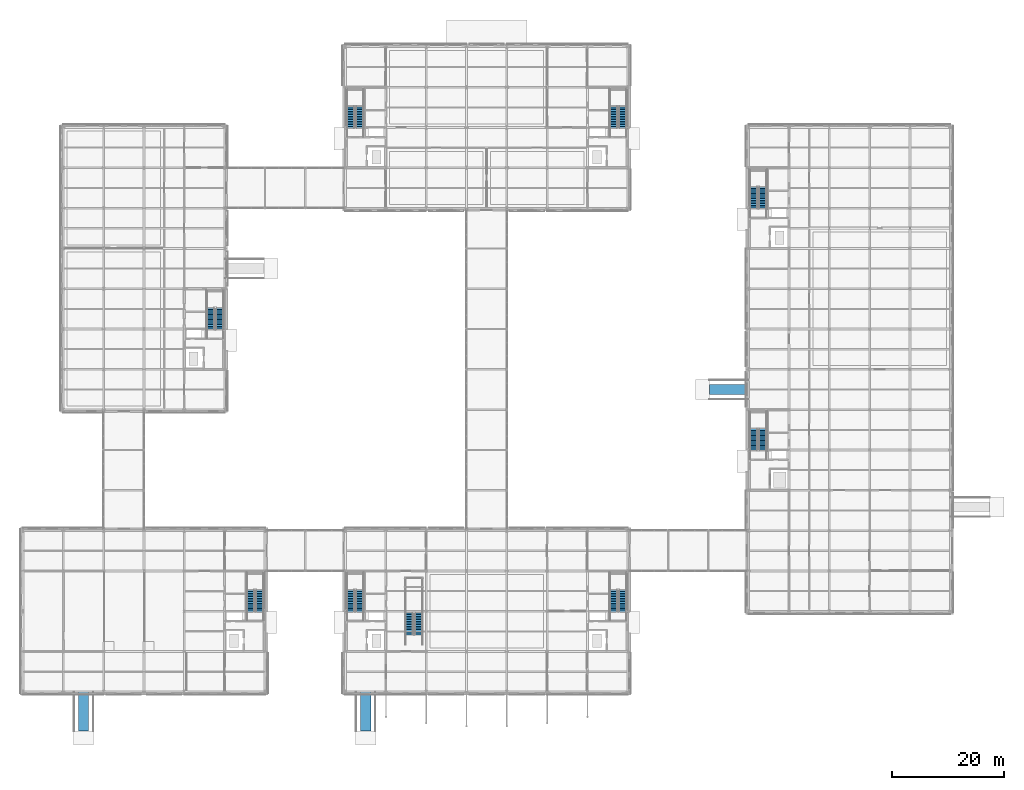
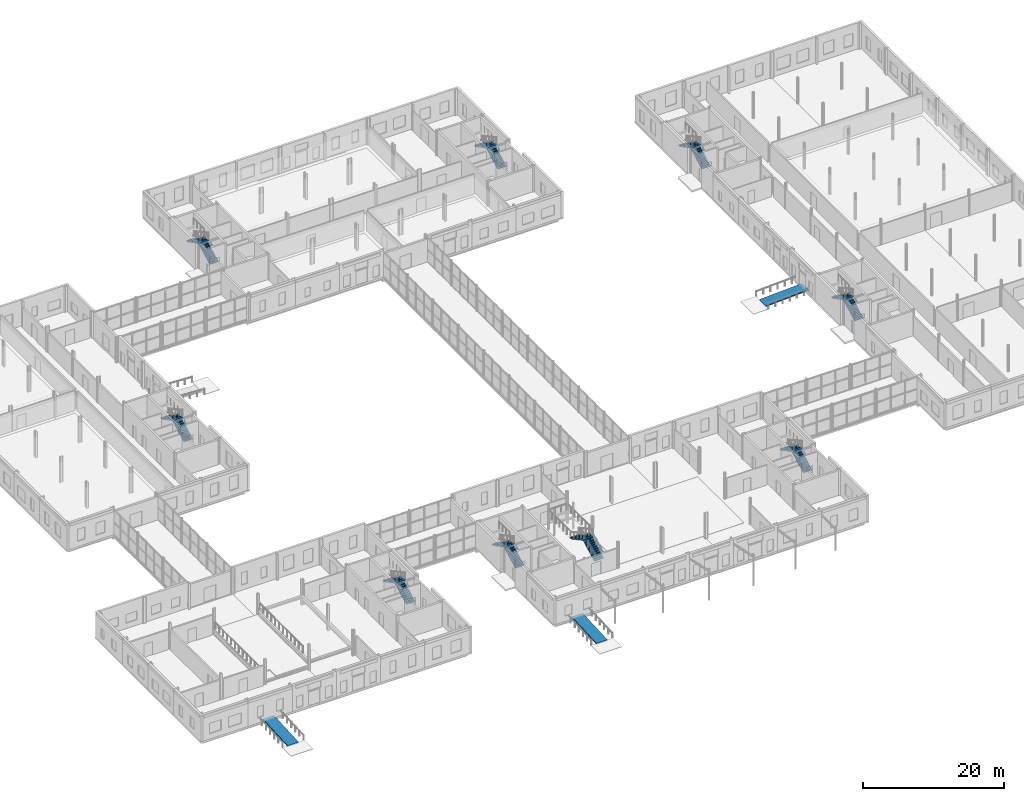
# One storey, part 71 of 92: 18 stair flights, 3 ramp flights, 12 elements without a shape of their own.
"""IFC4 building model written with IfcOpenShell, lengths in metres."""

import ifcopenshell
import ifcopenshell.guid

model = None  # the IFC model being written
_history = None  # IfcOwnerHistory: only IFC2X3 demands one
_inside = {}  # id of a spatial element -> (the spatial element, [elements in it])
_under = {}  # id of a project, library or spatial element -> (it, [spatial elements below it])
_declared = {}  # id of a project -> (the project, [libraries it declares])
_typed = {}  # id of a type object -> (the type object, [elements of that type])
_made_of = {}  # id of a material, layer set ... -> (it, [elements and type objects made of it])


def new_model(schema):
    """Start an empty IFC model of exactly this schema.

    Asked for "IFC4X3", IfcOpenShell would pick the latest addendum, in which some entities
    have other attributes; the version numbers below select the first issue.
    IFC2X3 requires an IfcOwnerHistory on every rooted entity: one is made here for all.
    """
    global model, _history
    if schema == "IFC4X3":
        model = ifcopenshell.file(schema_version=(4, 3, 0, 0))
    else:
        model = ifcopenshell.file(schema=schema)
    _inside.clear()
    _under.clear()
    _declared.clear()
    _typed.clear()
    _made_of.clear()
    _history = None
    if model.schema == "IFC2X3":
        org = make("IfcOrganization", Name="unknown")
        user = make(
            "IfcPersonAndOrganization",
            ThePerson=make("IfcPerson", FamilyName="unknown"),
            TheOrganization=org,
        )
        app = make(
            "IfcApplication",
            ApplicationDeveloper=org,
            Version="unknown",
            ApplicationFullName="unknown",
            ApplicationIdentifier="unknown",
        )
        _history = make(
            "IfcOwnerHistory",
            OwningUser=user,
            OwningApplication=app,
            ChangeAction="ADDED",
            CreationDate=0,
        )
    return model


def make(cls, **values):
    """One entity of the class cls with the attributes given. An attribute that is None is left unset."""
    return model.create_entity(
        cls, **{name: value for name, value in values.items() if value is not None}
    )


def rooted(cls, **values):
    """An entity with a GlobalId (a new one), such as an element, a storey or a relation."""
    return make(cls, GlobalId=ifcopenshell.guid.new(), OwnerHistory=_history, **values)


def si_unit(unit_type, name, prefix=None):
    """IfcSIUnit, for example si_unit("LENGTHUNIT", "METRE", prefix="MILLI")."""
    return make("IfcSIUnit", UnitType=unit_type, Prefix=prefix, Name=name)


def assignment(units):
    """IfcUnitAssignment: the units of a project."""
    return None if units is None else make("IfcUnitAssignment", Units=units)


def point(xyz):
    """IfcCartesianPoint."""
    return None if xyz is None else make("IfcCartesianPoint", Coordinates=xyz)


def direction(xyz):
    """IfcDirection."""
    return None if xyz is None else make("IfcDirection", DirectionRatios=xyz)


def frame(location, z_axis=None, x_axis=None):
    """IfcAxis2Placement3D, a coordinate frame: its origin and axes. An axis left out is left unset."""
    return make(
        "IfcAxis2Placement3D",
        Location=point(location),
        Axis=direction(z_axis),
        RefDirection=direction(x_axis),
    )


def origin():
    """The frame at (0, 0, 0) with its axes left unset."""
    return frame((0.0, 0.0, 0.0))


def place(relative_to, where):
    """IfcLocalPlacement: puts the frame where relative to a parent placement (None: the world)."""
    return make(
        "IfcLocalPlacement", PlacementRelTo=relative_to, RelativePlacement=where
    )


def context(
    kind, dimensions, precision=None, world=None, true_north=None, identifier=None
):
    """IfcGeometricRepresentationContext, for example the 3D "Model" context."""
    return make(
        "IfcGeometricRepresentationContext",
        ContextIdentifier=identifier,
        ContextType=kind,
        CoordinateSpaceDimension=dimensions,
        Precision=precision,
        WorldCoordinateSystem=world,
        TrueNorth=true_north,
    )


def subcontext(parent, identifier, kind, view, scale=None):
    """IfcGeometricRepresentationSubContext, for example "Body" below "Model"."""
    return make(
        "IfcGeometricRepresentationSubContext",
        ContextIdentifier=identifier,
        ContextType=kind,
        ParentContext=parent,
        TargetScale=scale,
        TargetView=view,
    )


def project(units=None, contexts=None):
    """IfcProject with its units and contexts."""
    return rooted(
        "IfcProject",
        Name="project",
        RepresentationContexts=contexts,
        UnitsInContext=assignment(units),
    )


def spatial(cls, under=None, at=None, **own):
    """A site, building, storey or space (cls), placed at a placement, below another one or the project."""
    s = rooted(cls, ObjectPlacement=at, **own)
    if under is not None:
        _under.setdefault(under.id(), (under, []))[1].append(s)
    return s


def polyline(points):
    """IfcPolyline through the points."""
    return make("IfcPolyline", Points=[point(p) for p in points])


def outline(outer, holes=None, kind="AREA"):
    """IfcArbitraryClosedProfileDef: a profile drawn as a closed curve; with holes, ...WithVoids."""
    if holes is None:
        return make("IfcArbitraryClosedProfileDef", ProfileType=kind, OuterCurve=outer)
    return make(
        "IfcArbitraryProfileDefWithVoids",
        ProfileType=kind,
        OuterCurve=outer,
        InnerCurves=holes,
    )


def extrude(swept, where, along, depth):
    """IfcExtrudedAreaSolid: the profile swept, set in the frame where, extruded along a direction by depth."""
    return make(
        "IfcExtrudedAreaSolid",
        SweptArea=swept,
        Position=where,
        ExtrudedDirection=direction(along),
        Depth=depth,
    )


def shape(context_of_items, identifier, shape_type, items):
    """IfcShapeRepresentation: the items that make up one representation, for example the "Body"."""
    return make(
        "IfcShapeRepresentation",
        ContextOfItems=context_of_items,
        RepresentationIdentifier=identifier,
        RepresentationType=shape_type,
        Items=items,
    )


def material(Name=None, Category=None):
    """IfcMaterial."""
    return make("IfcMaterial", Name=Name, Category=Category)


def layer(
    of_material, thickness, ventilated=None, Name=None, Category=None, Priority=None
):
    """IfcMaterialLayer: one layer of a wall or slab, of a material (None: an air gap)."""
    return make(
        "IfcMaterialLayer",
        Material=of_material,
        LayerThickness=thickness,
        IsVentilated=ventilated,
        Name=Name,
        Category=Category,
        Priority=Priority,
    )


def layer_set(layers, Name=None):
    """IfcMaterialLayerSet."""
    return make("IfcMaterialLayerSet", MaterialLayers=layers, LayerSetName=Name)


def made_of(thing, what):
    """Note that an element or type object is made of a material, layer set ...; save() writes the relation."""
    if what is not None:
        _made_of.setdefault(what.id(), (what, []))[1].append(thing)
    return thing


def type_object(cls, material=None, **own):
    """A type object (cls), such as IfcWallType, which elements share."""
    return made_of(rooted(cls, **own), material)


def element(
    cls,
    number,
    at=None,
    inside=None,
    cuts=None,
    type_object=None,
    material=None,
    context=None,
    identifier="Body",
    shape_type=None,
    held_by="IfcProductDefinitionShape",
    body=None,
    shapes=None,
    **own,
):
    """One element of the class cls, such as IfcWall. Its Tag is "e" and its number.

    at: its placement. inside: the storey or other place that contains it. cuts: it is an
    opening in that element (IfcRelVoidsElement). A single representation is given by context,
    identifier, shape_type and body (its items); several are given by shapes. held_by: the class
    of the entity that holds the representations. save() writes the other relations.
    """
    e = rooted(cls, Tag="e%d" % number, ObjectPlacement=at, **own)
    if body is not None:
        shapes = [shape(context, identifier, shape_type, body)]
    if shapes is not None:
        e.Representation = make(held_by, Representations=shapes)
    if inside is not None:
        _inside.setdefault(inside.id(), (inside, []))[1].append(e)
    if cuts is not None:
        rooted(
            "IfcRelVoidsElement", RelatingBuildingElement=cuts, RelatedOpeningElement=e
        )
    if type_object is not None:
        _typed.setdefault(type_object.id(), (type_object, []))[1].append(e)
    return made_of(e, material)


def aggregate(whole, parts):
    """IfcRelAggregates: a whole, such as a stair, and the parts it consists of."""
    return rooted("IfcRelAggregates", RelatingObject=whole, RelatedObjects=parts)


def save(model, path):
    """Write the relations noted so far, then the file.

    IfcRelAggregates (storeys below a building ...), IfcRelContainedInSpatialStructure (elements
    in a storey), IfcRelDefinesByType, IfcRelAssociatesMaterial and IfcRelDeclares: one each for
    every whole, place, type object, material and project.
    """
    for whole, parts in _under.values():
        aggregate(whole, parts)
    for where, things in _inside.values():
        rooted(
            "IfcRelContainedInSpatialStructure",
            RelatedElements=things,
            RelatingStructure=where,
        )
    for kind, things in _typed.values():
        rooted("IfcRelDefinesByType", RelatedObjects=things, RelatingType=kind)
    for what, things in _made_of.values():
        rooted("IfcRelAssociatesMaterial", RelatedObjects=things, RelatingMaterial=what)
    for by, libraries in _declared.values():
        rooted("IfcRelDeclares", RelatingContext=by, RelatedDefinitions=libraries)
    model.write(path)


model = new_model("IFC4")

# Units and contexts
model_context = context("Model", 3, precision=1e-05, world=origin(), true_north=direction((0.0, 1.0)))
body_context = subcontext(model_context, "Body", "Model", "MODEL_VIEW")
ifc_project = project(units=[si_unit("LENGTHUNIT", "METRE"), si_unit("AREAUNIT", "SQUARE_METRE"), si_unit("VOLUMEUNIT", "CUBIC_METRE"), si_unit("PLANEANGLEUNIT", "RADIAN"), si_unit("MASSUNIT", "GRAM", prefix="KILO")], contexts=[model_context])

# Site, building, storey
site_placement = place(None, origin())
site = spatial("IfcSite", under=ifc_project, at=site_placement, CompositionType="ELEMENT")
building_placement = place(site_placement, origin())
building = spatial("IfcBuilding", under=site, at=building_placement, Name="Zlatovets Crest Museum", CompositionType="ELEMENT")
storey_placement = place(building_placement, origin())
storey = spatial("IfcBuildingStorey", under=building, at=storey_placement, Name="L00", CompositionType="ELEMENT", Elevation=0.0)

# Stair, stair flights
ifc_material_1 = material(Name="Concrete C35/45", Category="concrete")
stair_type_1 = type_object("IfcStairType", Name="Stair_ST1-28R", PredefinedType="HALF_TURN_STAIR", material=ifc_material_1)
stair_1_placement = place(storey_placement, origin())
stair_1 = element("IfcStair", 1, at=stair_1_placement, inside=storey, type_object=stair_type_1, Name="L00 Core C1 Escape Stair ST1", PredefinedType="HALF_TURN_STAIR")
stair_flight_type_1 = type_object("IfcStairFlightType", Name="Flight_ST1F-14R", PredefinedType="STRAIGHT", material=ifc_material_1)
stair_flight_1_placement = place(storey_placement, frame((60.10009765625, 100.699951171875, 0.0), z_axis=(0.0, 0.0, 1.0), x_axis=(0.0, 1.0, 0.0)))
stair_flight_1 = element("IfcStairFlight", 2, at=stair_flight_1_placement, type_object=stair_flight_type_1, Name="ST1 flight 1", NumberOfRisers=14, NumberOfTreads=13, PredefinedType="STRAIGHT", RiserHeight=0.160714286, TreadLength=0.3, context=body_context, shape_type="SweptSolid", body=[
    extrude(outline(polyline([(0.0, 0.0), (0.0, 0.16064453125), (0.300048828125, 0.16064453125), (0.300048828125, 0.321533203125), (0.60009765625, 0.321533203125), (0.60009765625, 0.482177734375), (0.89990234375, 0.482177734375), (0.89990234375, 0.642822265625), (1.199951171875, 0.642822265625), (1.199951171875, 0.803466796875), (1.5, 0.803466796875), (1.5, 0.96435546875), (1.800048828125, 0.96435546875), (1.800048828125, 1.125), (2.10009765625, 1.125), (2.10009765625, 1.28564453125), (2.39990234375, 1.28564453125), (2.39990234375, 1.446533203125), (2.699951171875, 1.446533203125), (2.699951171875, 1.607177734375), (3.0, 1.607177734375), (3.0, 1.767822265625), (3.300048828125, 1.767822265625), (3.300048828125, 1.928466796875), (3.60009765625, 1.928466796875), (3.60009765625, 2.08935546875), (3.89990234375, 2.08935546875), (3.89990234375, 2.25), (3.89990234375, 1.919189453125), (0.3173828125, 0.0), (0.0, 0.0)])), frame((0.0, 0.699951171875, 0.0), z_axis=(0.0, -1.0, 0.0), x_axis=(1.0, 0.0, 0.0)), (0.0, 0.0, 1.0), 1.39990234375),
])
stair_flight_2_placement = place(storey_placement, frame((58.5, 104.60009765625, 2.25), z_axis=(0.0, 0.0, 1.0), x_axis=(0.0, -1.0, 0.0)))
stair_flight_2 = element("IfcStairFlight", 3, at=stair_flight_2_placement, type_object=stair_flight_type_1, Name="ST1 flight 2", NumberOfRisers=14, NumberOfTreads=13, PredefinedType="STRAIGHT", RiserHeight=0.160714286, TreadLength=0.3, context=body_context, shape_type="SweptSolid", body=[
    extrude(outline(polyline([(0.0, 0.0), (0.0, 0.16064453125), (0.300048828125, 0.16064453125), (0.300048828125, 0.321533203125), (0.60009765625, 0.321533203125), (0.60009765625, 0.482177734375), (0.89990234375, 0.482177734375), (0.89990234375, 0.642822265625), (1.199951171875, 0.642822265625), (1.199951171875, 0.803466796875), (1.5, 0.803466796875), (1.5, 0.96435546875), (1.800048828125, 0.96435546875), (1.800048828125, 1.125), (2.10009765625, 1.125), (2.10009765625, 1.28564453125), (2.39990234375, 1.28564453125), (2.39990234375, 1.446533203125), (2.699951171875, 1.446533203125), (2.699951171875, 1.607177734375), (3.0, 1.607177734375), (3.0, 1.767822265625), (3.300048828125, 1.767822265625), (3.300048828125, 1.928466796875), (3.60009765625, 1.928466796875), (3.60009765625, 2.08935546875), (3.89990234375, 2.08935546875), (3.89990234375, 2.25), (3.89990234375, 1.919189453125), (0.3173828125, 0.0), (0.0, 0.0)])), frame((0.0, 0.699951171875, 0.0), z_axis=(0.0, -1.0, 0.0), x_axis=(1.0, 0.0, 0.0)), (0.0, 0.0, 1.0), 1.39990234375),
])
aggregate(stair_1, [stair_flight_1, stair_flight_2])

stair_type_2 = type_object("IfcStairType", Name="Stair_ST2-28R", PredefinedType="HALF_TURN_STAIR", material=ifc_material_1)
stair_2_placement = place(storey_placement, origin())
stair_2 = element("IfcStair", 4, at=stair_2_placement, inside=storey, type_object=stair_type_2, Name="L00 Core C2 Escape Stair ST2", PredefinedType="HALF_TURN_STAIR")
stair_flight_type_2 = type_object("IfcStairFlightType", Name="Flight_ST2F-14R", PredefinedType="STRAIGHT", material=ifc_material_1)
stair_flight_3_placement = place(storey_placement, frame((60.10009765625, 14.300048828125, 0.0), z_axis=(0.0, 0.0, 1.0), x_axis=(0.0, 1.0, 0.0)))
stair_flight_3 = element("IfcStairFlight", 5, at=stair_flight_3_placement, type_object=stair_flight_type_2, Name="ST2 flight 1", NumberOfRisers=14, NumberOfTreads=13, PredefinedType="STRAIGHT", RiserHeight=0.160714286, TreadLength=0.3, context=body_context, shape_type="SweptSolid", body=[
    extrude(outline(polyline([(0.0, 0.0), (0.0, 0.16064453125), (0.300048828125, 0.16064453125), (0.300048828125, 0.321533203125), (0.60009765625, 0.321533203125), (0.60009765625, 0.482177734375), (0.89990234375, 0.482177734375), (0.89990234375, 0.642822265625), (1.199951171875, 0.642822265625), (1.199951171875, 0.803466796875), (1.5, 0.803466796875), (1.5, 0.96435546875), (1.800048828125, 0.96435546875), (1.800048828125, 1.125), (2.10009765625, 1.125), (2.10009765625, 1.28564453125), (2.39990234375, 1.28564453125), (2.39990234375, 1.446533203125), (2.699951171875, 1.446533203125), (2.699951171875, 1.607177734375), (3.0, 1.607177734375), (3.0, 1.767822265625), (3.300048828125, 1.767822265625), (3.300048828125, 1.928466796875), (3.60009765625, 1.928466796875), (3.60009765625, 2.08935546875), (3.89990234375, 2.08935546875), (3.89990234375, 2.25), (3.89990234375, 1.919189453125), (0.3173828125, 0.0), (0.0, 0.0)])), frame((0.0, 0.699951171875, 0.0), z_axis=(0.0, -1.0, 0.0), x_axis=(1.0, 0.0, 0.0)), (0.0, 0.0, 1.0), 1.39990234375),
])
stair_flight_4_placement = place(storey_placement, frame((58.5, 18.199951171875, 2.25), z_axis=(0.0, 0.0, 1.0), x_axis=(0.0, -1.0, 0.0)))
stair_flight_4 = element("IfcStairFlight", 6, at=stair_flight_4_placement, type_object=stair_flight_type_2, Name="ST2 flight 2", NumberOfRisers=14, NumberOfTreads=13, PredefinedType="STRAIGHT", RiserHeight=0.160714286, TreadLength=0.3, context=body_context, shape_type="SweptSolid", body=[
    extrude(outline(polyline([(0.0, 0.0), (0.0, 0.16064453125), (0.300048828125, 0.16064453125), (0.300048828125, 0.321533203125), (0.60009765625, 0.321533203125), (0.60009765625, 0.482177734375), (0.89990234375, 0.482177734375), (0.89990234375, 0.642822265625), (1.199951171875, 0.642822265625), (1.199951171875, 0.803466796875), (1.5, 0.803466796875), (1.5, 0.96435546875), (1.800048828125, 0.96435546875), (1.800048828125, 1.125), (2.10009765625, 1.125), (2.10009765625, 1.28564453125), (2.39990234375, 1.28564453125), (2.39990234375, 1.446533203125), (2.699951171875, 1.446533203125), (2.699951171875, 1.607177734375), (3.0, 1.607177734375), (3.0, 1.767822265625), (3.300048828125, 1.767822265625), (3.300048828125, 1.928466796875), (3.60009765625, 1.928466796875), (3.60009765625, 2.08935546875), (3.89990234375, 2.08935546875), (3.89990234375, 2.25), (3.89990234375, 1.919189453125), (0.3173828125, 0.0), (0.0, 0.0)])), frame((0.0, 0.699951171875, 0.0), z_axis=(0.0, -1.0, 0.0), x_axis=(1.0, 0.0, 0.0)), (0.0, 0.0, 1.0), 1.39990234375),
])
aggregate(stair_2, [stair_flight_3, stair_flight_4])

stair_type_3 = type_object("IfcStairType", Name="Stair_ST3-28R", PredefinedType="HALF_TURN_STAIR", material=ifc_material_1)
stair_3_placement = place(storey_placement, origin())
stair_3 = element("IfcStair", 7, at=stair_3_placement, inside=storey, type_object=stair_type_3, Name="L00 Core C3 Escape Stair ST3", PredefinedType="HALF_TURN_STAIR")
stair_flight_type_3 = type_object("IfcStairFlightType", Name="Flight_ST3F-14R", PredefinedType="STRAIGHT", material=ifc_material_1)
stair_flight_5_placement = place(storey_placement, frame((42.300048828125, 14.300048828125, 0.0), z_axis=(0.0, 0.0, 1.0), x_axis=(0.0, 1.0, 0.0)))
stair_flight_5 = element("IfcStairFlight", 8, at=stair_flight_5_placement, type_object=stair_flight_type_3, Name="ST3 flight 1", NumberOfRisers=14, NumberOfTreads=13, PredefinedType="STRAIGHT", RiserHeight=0.160714286, TreadLength=0.3, context=body_context, shape_type="SweptSolid", body=[
    extrude(outline(polyline([(0.0, 0.0), (0.0, 0.16064453125), (0.300048828125, 0.16064453125), (0.300048828125, 0.321533203125), (0.60009765625, 0.321533203125), (0.60009765625, 0.482177734375), (0.89990234375, 0.482177734375), (0.89990234375, 0.642822265625), (1.199951171875, 0.642822265625), (1.199951171875, 0.803466796875), (1.5, 0.803466796875), (1.5, 0.96435546875), (1.800048828125, 0.96435546875), (1.800048828125, 1.125), (2.10009765625, 1.125), (2.10009765625, 1.28564453125), (2.39990234375, 1.28564453125), (2.39990234375, 1.446533203125), (2.699951171875, 1.446533203125), (2.699951171875, 1.607177734375), (3.0, 1.607177734375), (3.0, 1.767822265625), (3.300048828125, 1.767822265625), (3.300048828125, 1.928466796875), (3.60009765625, 1.928466796875), (3.60009765625, 2.08935546875), (3.89990234375, 2.08935546875), (3.89990234375, 2.25), (3.89990234375, 1.919189453125), (0.3173828125, 0.0), (0.0, 0.0)])), frame((0.0, 0.699951171875, 0.0), z_axis=(0.0, -1.0, 0.0), x_axis=(1.0, 0.0, 0.0)), (0.0, 0.0, 1.0), 1.39990234375),
])
stair_flight_6_placement = place(storey_placement, frame((40.699951171875, 18.199951171875, 2.25), z_axis=(0.0, 0.0, 1.0), x_axis=(0.0, -1.0, 0.0)))
stair_flight_6 = element("IfcStairFlight", 9, at=stair_flight_6_placement, type_object=stair_flight_type_3, Name="ST3 flight 2", NumberOfRisers=14, NumberOfTreads=13, PredefinedType="STRAIGHT", RiserHeight=0.160714286, TreadLength=0.3, context=body_context, shape_type="SweptSolid", body=[
    extrude(outline(polyline([(0.0, 0.0), (0.0, 0.16064453125), (0.300048828125, 0.16064453125), (0.300048828125, 0.321533203125), (0.60009765625, 0.321533203125), (0.60009765625, 0.482177734375), (0.89990234375, 0.482177734375), (0.89990234375, 0.642822265625), (1.199951171875, 0.642822265625), (1.199951171875, 0.803466796875), (1.5, 0.803466796875), (1.5, 0.96435546875), (1.800048828125, 0.96435546875), (1.800048828125, 1.125), (2.10009765625, 1.125), (2.10009765625, 1.28564453125), (2.39990234375, 1.28564453125), (2.39990234375, 1.446533203125), (2.699951171875, 1.446533203125), (2.699951171875, 1.607177734375), (3.0, 1.607177734375), (3.0, 1.767822265625), (3.300048828125, 1.767822265625), (3.300048828125, 1.928466796875), (3.60009765625, 1.928466796875), (3.60009765625, 2.08935546875), (3.89990234375, 2.08935546875), (3.89990234375, 2.25), (3.89990234375, 1.919189453125), (0.3173828125, 0.0), (0.0, 0.0)])), frame((0.0, 0.699951171875, 0.0), z_axis=(0.0, -1.0, 0.0), x_axis=(1.0, 0.0, 0.0)), (0.0, 0.0, 1.0), 1.39990234375),
])
aggregate(stair_3, [stair_flight_5, stair_flight_6])

stair_type_4 = type_object("IfcStairType", Name="Stair_ST4-28R", PredefinedType="HALF_TURN_STAIR", material=ifc_material_1)
stair_4_placement = place(storey_placement, origin())
stair_4 = element("IfcStair", 10, at=stair_4_placement, inside=storey, type_object=stair_type_4, Name="L00 Core C4 Escape Stair ST4", PredefinedType="HALF_TURN_STAIR")
stair_flight_type_4 = type_object("IfcStairFlightType", Name="Flight_ST4F-14R", PredefinedType="STRAIGHT", material=ifc_material_1)
stair_flight_7_placement = place(storey_placement, frame((35.10009765625, 64.699951171875, 0.0), z_axis=(0.0, 0.0, 1.0), x_axis=(0.0, 1.0, 0.0)))
stair_flight_7 = element("IfcStairFlight", 11, at=stair_flight_7_placement, type_object=stair_flight_type_4, Name="ST4 flight 1", NumberOfRisers=14, NumberOfTreads=13, PredefinedType="STRAIGHT", RiserHeight=0.160714286, TreadLength=0.3, context=body_context, shape_type="SweptSolid", body=[
    extrude(outline(polyline([(0.0, 0.0), (0.0, 0.16064453125), (0.300048828125, 0.16064453125), (0.300048828125, 0.321533203125), (0.60009765625, 0.321533203125), (0.60009765625, 0.482177734375), (0.89990234375, 0.482177734375), (0.89990234375, 0.642822265625), (1.199951171875, 0.642822265625), (1.199951171875, 0.803466796875), (1.5, 0.803466796875), (1.5, 0.96435546875), (1.800048828125, 0.96435546875), (1.800048828125, 1.125), (2.10009765625, 1.125), (2.10009765625, 1.28564453125), (2.39990234375, 1.28564453125), (2.39990234375, 1.446533203125), (2.699951171875, 1.446533203125), (2.699951171875, 1.607177734375), (3.0, 1.607177734375), (3.0, 1.767822265625), (3.300048828125, 1.767822265625), (3.300048828125, 1.928466796875), (3.60009765625, 1.928466796875), (3.60009765625, 2.08935546875), (3.89990234375, 2.08935546875), (3.89990234375, 2.25), (3.89990234375, 1.919189453125), (0.3173828125, 0.0), (0.0, 0.0)])), frame((0.0, 0.699951171875, 0.0), z_axis=(0.0, -1.0, 0.0), x_axis=(1.0, 0.0, 0.0)), (0.0, 0.0, 1.0), 1.39990234375),
])
stair_flight_8_placement = place(storey_placement, frame((33.5, 68.60009765625, 2.25), z_axis=(0.0, 0.0, 1.0), x_axis=(0.0, -1.0, 0.0)))
stair_flight_8 = element("IfcStairFlight", 12, at=stair_flight_8_placement, type_object=stair_flight_type_4, Name="ST4 flight 2", NumberOfRisers=14, NumberOfTreads=13, PredefinedType="STRAIGHT", RiserHeight=0.160714286, TreadLength=0.3, context=body_context, shape_type="SweptSolid", body=[
    extrude(outline(polyline([(0.0, 0.0), (0.0, 0.16064453125), (0.300048828125, 0.16064453125), (0.300048828125, 0.321533203125), (0.60009765625, 0.321533203125), (0.60009765625, 0.482177734375), (0.89990234375, 0.482177734375), (0.89990234375, 0.642822265625), (1.199951171875, 0.642822265625), (1.199951171875, 0.803466796875), (1.5, 0.803466796875), (1.5, 0.96435546875), (1.800048828125, 0.96435546875), (1.800048828125, 1.125), (2.10009765625, 1.125), (2.10009765625, 1.28564453125), (2.39990234375, 1.28564453125), (2.39990234375, 1.446533203125), (2.699951171875, 1.446533203125), (2.699951171875, 1.607177734375), (3.0, 1.607177734375), (3.0, 1.767822265625), (3.300048828125, 1.767822265625), (3.300048828125, 1.928466796875), (3.60009765625, 1.928466796875), (3.60009765625, 2.08935546875), (3.89990234375, 2.08935546875), (3.89990234375, 2.25), (3.89990234375, 1.919189453125), (0.3173828125, 0.0), (0.0, 0.0)])), frame((0.0, 0.699951171875, 0.0), z_axis=(0.0, -1.0, 0.0), x_axis=(1.0, 0.0, 0.0)), (0.0, 0.0, 1.0), 1.39990234375),
])
aggregate(stair_4, [stair_flight_7, stair_flight_8])

stair_type_5 = type_object("IfcStairType", Name="Stair_ST5-28R", PredefinedType="HALF_TURN_STAIR", material=ifc_material_1)
stair_5_placement = place(storey_placement, origin())
stair_5 = element("IfcStair", 13, at=stair_5_placement, inside=storey, type_object=stair_type_5, Name="L00 Core C5 Escape Stair ST5", PredefinedType="HALF_TURN_STAIR")
stair_flight_type_5 = type_object("IfcStairFlightType", Name="Flight_ST5F-14R", PredefinedType="STRAIGHT", material=ifc_material_1)
stair_flight_9_placement = place(storey_placement, frame((132.10009765625, 43.10009765625, 0.0), z_axis=(0.0, 0.0, 1.0), x_axis=(0.0, 1.0, 0.0)))
stair_flight_9 = element("IfcStairFlight", 14, at=stair_flight_9_placement, type_object=stair_flight_type_5, Name="ST5 flight 1", NumberOfRisers=14, NumberOfTreads=13, PredefinedType="STRAIGHT", RiserHeight=0.160714286, TreadLength=0.3, context=body_context, shape_type="SweptSolid", body=[
    extrude(outline(polyline([(0.0, 0.0), (0.0, 0.16064453125), (0.300048828125, 0.16064453125), (0.300048828125, 0.321533203125), (0.60009765625, 0.321533203125), (0.60009765625, 0.482177734375), (0.89990234375, 0.482177734375), (0.89990234375, 0.642822265625), (1.199951171875, 0.642822265625), (1.199951171875, 0.803466796875), (1.5, 0.803466796875), (1.5, 0.96435546875), (1.800048828125, 0.96435546875), (1.800048828125, 1.125), (2.10009765625, 1.125), (2.10009765625, 1.28564453125), (2.39990234375, 1.28564453125), (2.39990234375, 1.446533203125), (2.699951171875, 1.446533203125), (2.699951171875, 1.607177734375), (3.0, 1.607177734375), (3.0, 1.767822265625), (3.300048828125, 1.767822265625), (3.300048828125, 1.928466796875), (3.60009765625, 1.928466796875), (3.60009765625, 2.08935546875), (3.89990234375, 2.08935546875), (3.89990234375, 2.25), (3.89990234375, 1.919189453125), (0.3173828125, 0.0), (0.0, 0.0)])), frame((0.0, 0.699951171875, 0.0), z_axis=(0.0, -1.0, 0.0), x_axis=(1.0, 0.0, 0.0)), (0.0, 0.0, 1.0), 1.39990234375),
])
stair_flight_10_placement = place(storey_placement, frame((130.5, 47.0, 2.25), z_axis=(0.0, 0.0, 1.0), x_axis=(0.0, -1.0, 0.0)))
stair_flight_10 = element("IfcStairFlight", 15, at=stair_flight_10_placement, type_object=stair_flight_type_5, Name="ST5 flight 2", NumberOfRisers=14, NumberOfTreads=13, PredefinedType="STRAIGHT", RiserHeight=0.160714286, TreadLength=0.3, context=body_context, shape_type="SweptSolid", body=[
    extrude(outline(polyline([(0.0, 0.0), (0.0, 0.16064453125), (0.300048828125, 0.16064453125), (0.300048828125, 0.321533203125), (0.60009765625, 0.321533203125), (0.60009765625, 0.482177734375), (0.89990234375, 0.482177734375), (0.89990234375, 0.642822265625), (1.199951171875, 0.642822265625), (1.199951171875, 0.803466796875), (1.5, 0.803466796875), (1.5, 0.96435546875), (1.800048828125, 0.96435546875), (1.800048828125, 1.125), (2.10009765625, 1.125), (2.10009765625, 1.28564453125), (2.39990234375, 1.28564453125), (2.39990234375, 1.446533203125), (2.699951171875, 1.446533203125), (2.699951171875, 1.607177734375), (3.0, 1.607177734375), (3.0, 1.767822265625), (3.300048828125, 1.767822265625), (3.300048828125, 1.928466796875), (3.60009765625, 1.928466796875), (3.60009765625, 2.08935546875), (3.89990234375, 2.08935546875), (3.89990234375, 2.25), (3.89990234375, 1.919189453125), (0.3173828125, 0.0), (0.0, 0.0)])), frame((0.0, 0.699951171875, 0.0), z_axis=(0.0, -1.0, 0.0), x_axis=(1.0, 0.0, 0.0)), (0.0, 0.0, 1.0), 1.39990234375),
])
aggregate(stair_5, [stair_flight_9, stair_flight_10])

stair_type_6 = type_object("IfcStairType", Name="Stair_ST6-28R", PredefinedType="HALF_TURN_STAIR", material=ifc_material_1)
stair_6_placement = place(storey_placement, origin())
stair_6 = element("IfcStair", 16, at=stair_6_placement, inside=storey, type_object=stair_type_6, Name="L00 Atrium Feature Stair ST6", PredefinedType="HALF_TURN_STAIR")
stair_flight_type_6 = type_object("IfcStairFlightType", Name="Flight_ST6F-14R", PredefinedType="STRAIGHT", material=ifc_material_1)
stair_flight_11_placement = place(storey_placement, frame((70.675048828125, 10.199951171875, 0.0), z_axis=(0.0, 0.0, 1.0), x_axis=(0.0, 1.0, 0.0)))
stair_flight_11 = element("IfcStairFlight", 17, at=stair_flight_11_placement, type_object=stair_flight_type_6, Name="ST6 flight 1", NumberOfRisers=14, NumberOfTreads=13, PredefinedType="STRAIGHT", RiserHeight=0.160714286, TreadLength=0.3, context=body_context, shape_type="SweptSolid", body=[
    extrude(outline(polyline([(0.0, 0.0), (0.0, 0.16064453125), (0.300048828125, 0.16064453125), (0.300048828125, 0.321533203125), (0.60009765625, 0.321533203125), (0.60009765625, 0.482177734375), (0.89990234375, 0.482177734375), (0.89990234375, 0.642822265625), (1.199951171875, 0.642822265625), (1.199951171875, 0.803466796875), (1.5, 0.803466796875), (1.5, 0.96435546875), (1.800048828125, 0.96435546875), (1.800048828125, 1.125), (2.10009765625, 1.125), (2.10009765625, 1.28564453125), (2.39990234375, 1.28564453125), (2.39990234375, 1.446533203125), (2.699951171875, 1.446533203125), (2.699951171875, 1.607177734375), (3.0, 1.607177734375), (3.0, 1.767822265625), (3.300048828125, 1.767822265625), (3.300048828125, 1.928466796875), (3.60009765625, 1.928466796875), (3.60009765625, 2.08935546875), (3.89990234375, 2.08935546875), (3.89990234375, 2.25), (3.89990234375, 1.919189453125), (0.3173828125, 0.0), (0.0, 0.0)])), frame((0.0, 0.72509765625, 0.0), z_axis=(0.0, -1.0, 0.0), x_axis=(1.0, 0.0, 0.0)), (0.0, 0.0, 1.0), 1.449951171875),
])
stair_flight_12_placement = place(storey_placement, frame((68.97509765625, 14.10009765625, 2.25), z_axis=(0.0, 0.0, 1.0), x_axis=(0.0, -1.0, 0.0)))
stair_flight_12 = element("IfcStairFlight", 18, at=stair_flight_12_placement, type_object=stair_flight_type_6, Name="ST6 flight 2", NumberOfRisers=14, NumberOfTreads=13, PredefinedType="STRAIGHT", RiserHeight=0.160714286, TreadLength=0.3, context=body_context, shape_type="SweptSolid", body=[
    extrude(outline(polyline([(0.0, 0.0), (0.0, 0.16064453125), (0.300048828125, 0.16064453125), (0.300048828125, 0.321533203125), (0.60009765625, 0.321533203125), (0.60009765625, 0.482177734375), (0.89990234375, 0.482177734375), (0.89990234375, 0.642822265625), (1.199951171875, 0.642822265625), (1.199951171875, 0.803466796875), (1.5, 0.803466796875), (1.5, 0.96435546875), (1.800048828125, 0.96435546875), (1.800048828125, 1.125), (2.10009765625, 1.125), (2.10009765625, 1.28564453125), (2.39990234375, 1.28564453125), (2.39990234375, 1.446533203125), (2.699951171875, 1.446533203125), (2.699951171875, 1.607177734375), (3.0, 1.607177734375), (3.0, 1.767822265625), (3.300048828125, 1.767822265625), (3.300048828125, 1.928466796875), (3.60009765625, 1.928466796875), (3.60009765625, 2.08935546875), (3.89990234375, 2.08935546875), (3.89990234375, 2.25), (3.89990234375, 1.919189453125), (0.3173828125, 0.0), (0.0, 0.0)])), frame((0.0, 0.72509765625, 0.0), z_axis=(0.0, -1.0, 0.0), x_axis=(1.0, 0.0, 0.0)), (0.0, 0.0, 1.0), 1.449951171875),
])
aggregate(stair_6, [stair_flight_11, stair_flight_12])

stair_type_7 = type_object("IfcStairType", Name="Stair_ST7-28R", PredefinedType="HALF_TURN_STAIR", material=ifc_material_1)
stair_7_placement = place(storey_placement, origin())
stair_7 = element("IfcStair", 19, at=stair_7_placement, inside=storey, type_object=stair_type_7, Name="L00 Core C6 Escape Stair ST7", PredefinedType="HALF_TURN_STAIR")
stair_flight_type_7 = type_object("IfcStairFlightType", Name="Flight_ST7F-14R", PredefinedType="STRAIGHT", material=ifc_material_1)
stair_flight_13_placement = place(storey_placement, frame((107.10009765625, 100.699951171875, 0.0), z_axis=(0.0, 0.0, 1.0), x_axis=(0.0, 1.0, 0.0)))
stair_flight_13 = element("IfcStairFlight", 20, at=stair_flight_13_placement, type_object=stair_flight_type_7, Name="ST7 flight 1", NumberOfRisers=14, NumberOfTreads=13, PredefinedType="STRAIGHT", RiserHeight=0.160714286, TreadLength=0.3, context=body_context, shape_type="SweptSolid", body=[
    extrude(outline(polyline([(0.0, 0.0), (0.0, 0.16064453125), (0.300048828125, 0.16064453125), (0.300048828125, 0.321533203125), (0.60009765625, 0.321533203125), (0.60009765625, 0.482177734375), (0.89990234375, 0.482177734375), (0.89990234375, 0.642822265625), (1.199951171875, 0.642822265625), (1.199951171875, 0.803466796875), (1.5, 0.803466796875), (1.5, 0.96435546875), (1.800048828125, 0.96435546875), (1.800048828125, 1.125), (2.10009765625, 1.125), (2.10009765625, 1.28564453125), (2.39990234375, 1.28564453125), (2.39990234375, 1.446533203125), (2.699951171875, 1.446533203125), (2.699951171875, 1.607177734375), (3.0, 1.607177734375), (3.0, 1.767822265625), (3.300048828125, 1.767822265625), (3.300048828125, 1.928466796875), (3.60009765625, 1.928466796875), (3.60009765625, 2.08935546875), (3.89990234375, 2.08935546875), (3.89990234375, 2.25), (3.89990234375, 1.919189453125), (0.3173828125, 0.0), (0.0, 0.0)])), frame((0.0, 0.699951171875, 0.0), z_axis=(0.0, -1.0, 0.0), x_axis=(1.0, 0.0, 0.0)), (0.0, 0.0, 1.0), 1.39990234375),
])
stair_flight_14_placement = place(storey_placement, frame((105.5, 104.60009765625, 2.25), z_axis=(0.0, 0.0, 1.0), x_axis=(0.0, -1.0, 0.0)))
stair_flight_14 = element("IfcStairFlight", 21, at=stair_flight_14_placement, type_object=stair_flight_type_7, Name="ST7 flight 2", NumberOfRisers=14, NumberOfTreads=13, PredefinedType="STRAIGHT", RiserHeight=0.160714286, TreadLength=0.3, context=body_context, shape_type="SweptSolid", body=[
    extrude(outline(polyline([(0.0, 0.0), (0.0, 0.16064453125), (0.300048828125, 0.16064453125), (0.300048828125, 0.321533203125), (0.60009765625, 0.321533203125), (0.60009765625, 0.482177734375), (0.89990234375, 0.482177734375), (0.89990234375, 0.642822265625), (1.199951171875, 0.642822265625), (1.199951171875, 0.803466796875), (1.5, 0.803466796875), (1.5, 0.96435546875), (1.800048828125, 0.96435546875), (1.800048828125, 1.125), (2.10009765625, 1.125), (2.10009765625, 1.28564453125), (2.39990234375, 1.28564453125), (2.39990234375, 1.446533203125), (2.699951171875, 1.446533203125), (2.699951171875, 1.607177734375), (3.0, 1.607177734375), (3.0, 1.767822265625), (3.300048828125, 1.767822265625), (3.300048828125, 1.928466796875), (3.60009765625, 1.928466796875), (3.60009765625, 2.08935546875), (3.89990234375, 2.08935546875), (3.89990234375, 2.25), (3.89990234375, 1.919189453125), (0.3173828125, 0.0), (0.0, 0.0)])), frame((0.0, 0.699951171875, 0.0), z_axis=(0.0, -1.0, 0.0), x_axis=(1.0, 0.0, 0.0)), (0.0, 0.0, 1.0), 1.39990234375),
])
aggregate(stair_7, [stair_flight_13, stair_flight_14])

stair_type_8 = type_object("IfcStairType", Name="Stair_ST8-28R", PredefinedType="HALF_TURN_STAIR", material=ifc_material_1)
stair_8_placement = place(storey_placement, origin())
stair_8 = element("IfcStair", 22, at=stair_8_placement, inside=storey, type_object=stair_type_8, Name="L00 Core C7 Escape Stair ST8", PredefinedType="HALF_TURN_STAIR")
stair_flight_type_8 = type_object("IfcStairFlightType", Name="Flight_ST8F-14R", PredefinedType="STRAIGHT", material=ifc_material_1)
stair_flight_15_placement = place(storey_placement, frame((132.10009765625, 86.300048828125, 0.0), z_axis=(0.0, 0.0, 1.0), x_axis=(0.0, 1.0, 0.0)))
stair_flight_15 = element("IfcStairFlight", 23, at=stair_flight_15_placement, type_object=stair_flight_type_8, Name="ST8 flight 1", NumberOfRisers=14, NumberOfTreads=13, PredefinedType="STRAIGHT", RiserHeight=0.160714286, TreadLength=0.3, context=body_context, shape_type="SweptSolid", body=[
    extrude(outline(polyline([(0.0, 0.0), (0.0, 0.16064453125), (0.300048828125, 0.16064453125), (0.300048828125, 0.321533203125), (0.60009765625, 0.321533203125), (0.60009765625, 0.482177734375), (0.89990234375, 0.482177734375), (0.89990234375, 0.642822265625), (1.199951171875, 0.642822265625), (1.199951171875, 0.803466796875), (1.5, 0.803466796875), (1.5, 0.96435546875), (1.800048828125, 0.96435546875), (1.800048828125, 1.125), (2.10009765625, 1.125), (2.10009765625, 1.28564453125), (2.39990234375, 1.28564453125), (2.39990234375, 1.446533203125), (2.699951171875, 1.446533203125), (2.699951171875, 1.607177734375), (3.0, 1.607177734375), (3.0, 1.767822265625), (3.300048828125, 1.767822265625), (3.300048828125, 1.928466796875), (3.60009765625, 1.928466796875), (3.60009765625, 2.08935546875), (3.89990234375, 2.08935546875), (3.89990234375, 2.25), (3.89990234375, 1.919189453125), (0.3173828125, 0.0), (0.0, 0.0)])), frame((0.0, 0.699951171875, 0.0), z_axis=(0.0, -1.0, 0.0), x_axis=(1.0, 0.0, 0.0)), (0.0, 0.0, 1.0), 1.39990234375),
])
stair_flight_16_placement = place(storey_placement, frame((130.5, 90.199951171875, 2.25), z_axis=(0.0, 0.0, 1.0), x_axis=(0.0, -1.0, 0.0)))
stair_flight_16 = element("IfcStairFlight", 24, at=stair_flight_16_placement, type_object=stair_flight_type_8, Name="ST8 flight 2", NumberOfRisers=14, NumberOfTreads=13, PredefinedType="STRAIGHT", RiserHeight=0.160714286, TreadLength=0.3, context=body_context, shape_type="SweptSolid", body=[
    extrude(outline(polyline([(0.0, 0.0), (0.0, 0.16064453125), (0.300048828125, 0.16064453125), (0.300048828125, 0.321533203125), (0.60009765625, 0.321533203125), (0.60009765625, 0.482177734375), (0.89990234375, 0.482177734375), (0.89990234375, 0.642822265625), (1.199951171875, 0.642822265625), (1.199951171875, 0.803466796875), (1.5, 0.803466796875), (1.5, 0.96435546875), (1.800048828125, 0.96435546875), (1.800048828125, 1.125), (2.10009765625, 1.125), (2.10009765625, 1.28564453125), (2.39990234375, 1.28564453125), (2.39990234375, 1.446533203125), (2.699951171875, 1.446533203125), (2.699951171875, 1.607177734375), (3.0, 1.607177734375), (3.0, 1.767822265625), (3.300048828125, 1.767822265625), (3.300048828125, 1.928466796875), (3.60009765625, 1.928466796875), (3.60009765625, 2.08935546875), (3.89990234375, 2.08935546875), (3.89990234375, 2.25), (3.89990234375, 1.919189453125), (0.3173828125, 0.0), (0.0, 0.0)])), frame((0.0, 0.699951171875, 0.0), z_axis=(0.0, -1.0, 0.0), x_axis=(1.0, 0.0, 0.0)), (0.0, 0.0, 1.0), 1.39990234375),
])
aggregate(stair_8, [stair_flight_15, stair_flight_16])

stair_type_9 = type_object("IfcStairType", Name="Stair_ST9-28R", PredefinedType="HALF_TURN_STAIR", material=ifc_material_1)
stair_9_placement = place(storey_placement, origin())
stair_9 = element("IfcStair", 25, at=stair_9_placement, inside=storey, type_object=stair_type_9, Name="L00 Core C8 Escape Stair ST9", PredefinedType="HALF_TURN_STAIR")
stair_flight_type_9 = type_object("IfcStairFlightType", Name="Flight_ST9F-14R", PredefinedType="STRAIGHT", material=ifc_material_1)
stair_flight_17_placement = place(storey_placement, frame((107.10009765625, 14.300048828125, 0.0), z_axis=(0.0, 0.0, 1.0), x_axis=(0.0, 1.0, 0.0)))
stair_flight_17 = element("IfcStairFlight", 26, at=stair_flight_17_placement, type_object=stair_flight_type_9, Name="ST9 flight 1", NumberOfRisers=14, NumberOfTreads=13, PredefinedType="STRAIGHT", RiserHeight=0.160714286, TreadLength=0.3, context=body_context, shape_type="SweptSolid", body=[
    extrude(outline(polyline([(0.0, 0.0), (0.0, 0.16064453125), (0.300048828125, 0.16064453125), (0.300048828125, 0.321533203125), (0.60009765625, 0.321533203125), (0.60009765625, 0.482177734375), (0.89990234375, 0.482177734375), (0.89990234375, 0.642822265625), (1.199951171875, 0.642822265625), (1.199951171875, 0.803466796875), (1.5, 0.803466796875), (1.5, 0.96435546875), (1.800048828125, 0.96435546875), (1.800048828125, 1.125), (2.10009765625, 1.125), (2.10009765625, 1.28564453125), (2.39990234375, 1.28564453125), (2.39990234375, 1.446533203125), (2.699951171875, 1.446533203125), (2.699951171875, 1.607177734375), (3.0, 1.607177734375), (3.0, 1.767822265625), (3.300048828125, 1.767822265625), (3.300048828125, 1.928466796875), (3.60009765625, 1.928466796875), (3.60009765625, 2.08935546875), (3.89990234375, 2.08935546875), (3.89990234375, 2.25), (3.89990234375, 1.919189453125), (0.3173828125, 0.0), (0.0, 0.0)])), frame((0.0, 0.699951171875, 0.0), z_axis=(0.0, -1.0, 0.0), x_axis=(1.0, 0.0, 0.0)), (0.0, 0.0, 1.0), 1.39990234375),
])
stair_flight_18_placement = place(storey_placement, frame((105.5, 18.199951171875, 2.25), z_axis=(0.0, 0.0, 1.0), x_axis=(0.0, -1.0, 0.0)))
stair_flight_18 = element("IfcStairFlight", 27, at=stair_flight_18_placement, type_object=stair_flight_type_9, Name="ST9 flight 2", NumberOfRisers=14, NumberOfTreads=13, PredefinedType="STRAIGHT", RiserHeight=0.160714286, TreadLength=0.3, context=body_context, shape_type="SweptSolid", body=[
    extrude(outline(polyline([(0.0, 0.0), (0.0, 0.16064453125), (0.300048828125, 0.16064453125), (0.300048828125, 0.321533203125), (0.60009765625, 0.321533203125), (0.60009765625, 0.482177734375), (0.89990234375, 0.482177734375), (0.89990234375, 0.642822265625), (1.199951171875, 0.642822265625), (1.199951171875, 0.803466796875), (1.5, 0.803466796875), (1.5, 0.96435546875), (1.800048828125, 0.96435546875), (1.800048828125, 1.125), (2.10009765625, 1.125), (2.10009765625, 1.28564453125), (2.39990234375, 1.28564453125), (2.39990234375, 1.446533203125), (2.699951171875, 1.446533203125), (2.699951171875, 1.607177734375), (3.0, 1.607177734375), (3.0, 1.767822265625), (3.300048828125, 1.767822265625), (3.300048828125, 1.928466796875), (3.60009765625, 1.928466796875), (3.60009765625, 2.08935546875), (3.89990234375, 2.08935546875), (3.89990234375, 2.25), (3.89990234375, 1.919189453125), (0.3173828125, 0.0), (0.0, 0.0)])), frame((0.0, 0.699951171875, 0.0), z_axis=(0.0, -1.0, 0.0), x_axis=(1.0, 0.0, 0.0)), (0.0, 0.0, 1.0), 1.39990234375),
])
aggregate(stair_9, [stair_flight_17, stair_flight_18])

# Ramp, ramp flight
ifc_material_2 = material(Name="Concrete C30/37", Category="concrete")
ramp_type = type_object("IfcRampType", Name="AccessRamp_RM01", PredefinedType="STRAIGHT_RUN_RAMP", material=ifc_material_2)
ramp_1_placement = place(storey_placement, origin())
ramp_1 = element("IfcRamp", 28, at=ramp_1_placement, inside=storey, type_object=ramp_type, Name="Main Boulevard Step-Free Ramp", PredefinedType="STRAIGHT_RUN_RAMP")
ifc_layer = layer(ifc_material_2, 0.199951171875)
ifc_layer_set = layer_set([ifc_layer], Name="Concrete C30/37")
ramp_flight_type = type_object("IfcRampFlightType", Name="AccessRampFlight_RF01", PredefinedType="STRAIGHT", material=ifc_layer_set)
ramp_flight_1_placement = place(storey_placement, frame((61.199951171875, -7.0, -0.35009765625), z_axis=(0.0, 0.0, 1.0), x_axis=(0.0, 1.0, 0.0)))
ramp_flight_1 = element("IfcRampFlight", 29, at=ramp_flight_1_placement, type_object=ramp_flight_type, Name="Main Boulevard Step-Free Ramp Flight", PredefinedType="STRAIGHT", context=body_context, shape_type="SweptSolid", body=[
    extrude(outline(polyline([(0.0, 0.0), (7.0, 0.35009765625), (7.0, 0.150146484375), (0.0, -0.199951171875), (0.0, 0.0)])), frame((0.0, 0.89990234375, 0.0), z_axis=(0.0, -1.0, 0.0), x_axis=(1.0, 0.0, 0.0)), (0.0, 0.0, 1.0), 1.800048828125),
])
aggregate(ramp_1, [ramp_flight_1])

ramp_2_placement = place(storey_placement, origin())
ramp_2 = element("IfcRamp", 30, at=ramp_2_placement, inside=storey, type_object=ramp_type, Name="Auditorium Forecourt Step-Free Ramp", PredefinedType="STRAIGHT_RUN_RAMP")
ramp_flight_2_placement = place(storey_placement, frame((10.800048828125, -7.0, -0.35009765625), z_axis=(0.0, 0.0, 1.0), x_axis=(0.0, 1.0, 0.0)))
ramp_flight_2 = element("IfcRampFlight", 31, at=ramp_flight_2_placement, type_object=ramp_flight_type, Name="Auditorium Forecourt Step-Free Ramp Flight", PredefinedType="STRAIGHT", context=body_context, shape_type="SweptSolid", body=[
    extrude(outline(polyline([(0.0, 0.0), (7.0, 0.35009765625), (7.0, 0.150146484375), (0.0, -0.199951171875), (0.0, 0.0)])), frame((0.0, 0.89990234375, 0.0), z_axis=(0.0, -1.0, 0.0), x_axis=(1.0, 0.0, 0.0)), (0.0, 0.0, 1.0), 1.800048828125),
])
aggregate(ramp_2, [ramp_flight_2])

ramp_3_placement = place(storey_placement, origin())
ramp_3 = element("IfcRamp", 32, at=ramp_3_placement, inside=storey, type_object=ramp_type, Name="East Court Step-Free Ramp", PredefinedType="STRAIGHT_RUN_RAMP")
ramp_flight_3_placement = place(storey_placement, frame((122.60009765625, 54.0, -0.35009765625), z_axis=(0.0, 0.0, 1.0), x_axis=(1.0, 0.0, 0.0)))
ramp_flight_3 = element("IfcRampFlight", 33, at=ramp_flight_3_placement, type_object=ramp_flight_type, Name="East Court Step-Free Ramp Flight", PredefinedType="STRAIGHT", context=body_context, shape_type="SweptSolid", body=[
    extrude(outline(polyline([(0.0, 0.0), (7.0, 0.35009765625), (7.0, 0.150146484375), (0.0, -0.199951171875), (0.0, 0.0)])), frame((0.0, 0.89990234375, 0.0), z_axis=(0.0, -1.0, 0.0), x_axis=(1.0, 0.0, 0.0)), (0.0, 0.0, 1.0), 1.800048828125),
])
aggregate(ramp_3, [ramp_flight_3])

save(model, "model.ifc")
